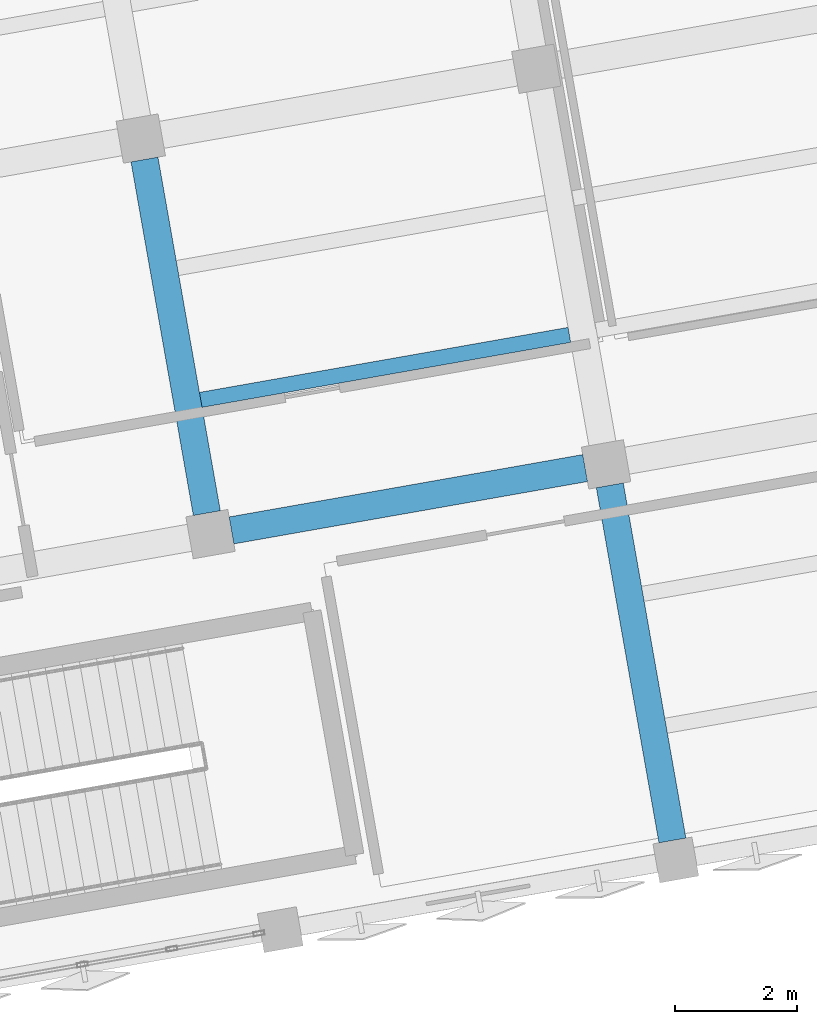
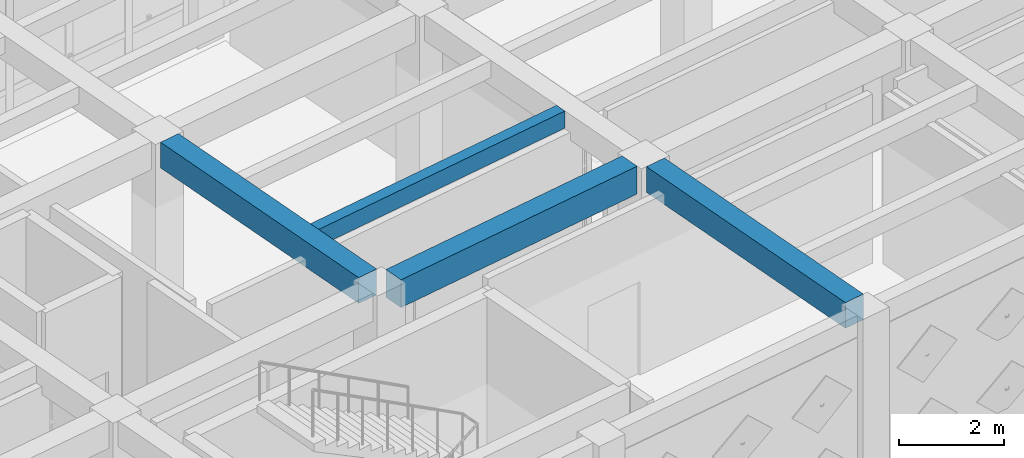
# One storey, part 13 of 48: 4 beams.
"""IFC4 building model written with IfcOpenShell, lengths in metres."""

from ifc_helpers import new_model, si_unit, direction, frame, origin, origin_2d, place, context, subcontext, project, spatial, rectangle, extrude, material, material_profile, profile_set, type_object, element, save


model = new_model("IFC4")

# Units and contexts
model_context = context("Model", 3, precision=1e-05, world=origin(), true_north=direction((0.0, 1.0)))
body_context = subcontext(model_context, "Body", "Model", "MODEL_VIEW")
ifc_project = project(units=[si_unit("LENGTHUNIT", "METRE"), si_unit("AREAUNIT", "SQUARE_METRE"), si_unit("VOLUMEUNIT", "CUBIC_METRE"), si_unit("PLANEANGLEUNIT", "RADIAN"), si_unit("MASSUNIT", "GRAM", prefix="KILO")], contexts=[model_context])

# Site, building, storey
site_placement = place(None, origin())
site = spatial("IfcSite", under=ifc_project, at=site_placement, CompositionType="ELEMENT")
building_placement = place(site_placement, origin())
building = spatial("IfcBuilding", under=site, at=building_placement, Name="Kharisveld Research Institute", CompositionType="ELEMENT")
storey_placement = place(building_placement, frame((0.0, 0.0, 14.10009765625)))
storey = spatial("IfcBuildingStorey", under=building, at=storey_placement, Name="L03", CompositionType="ELEMENT", Elevation=14.10009765625)

# Beams
ifc_material_1 = material(Name="Concrete C40/50", Category="concrete")
ifc_material_profile_1 = material_profile(ifc_material_1, rectangle(XDim=0.449951171875, YDim=0.60009765625, at=origin_2d()))
ifc_profile_set_1 = profile_set([ifc_material_profile_1], Name="Concrete C40/50")
beam_type_1 = type_object("IfcBeamType", Name="BM_RC_450x600", PredefinedType="BEAM", material=ifc_profile_set_1)
beam_1_placement = place(storey_placement, frame((23.492431640625, 45.292724609375, 4.010009765625), z_axis=(-0.173672023659, 0.984803548023, 0.0), x_axis=(-0.984803548023, -0.173672023659, 0.0)))
element("IfcBeam", 1, at=beam_1_placement, inside=storey, type_object=beam_type_1, Name="BM:V1:L03:V3_1", PredefinedType="BEAM", context=body_context, shape_type="SweptSolid", body=[
    extrude(rectangle(XDim=0.449951171875, YDim=0.60009765625, at=origin_2d()), origin(), (0.0, 0.0, 1.0), 5.89990234375),
])
beam_2_placement = place(storey_placement, frame((31.142578125, 39.914306640625, 4.010009765625), z_axis=(-0.173679554678, 0.984802219883, 0.0), x_axis=(-0.984802219883, -0.173679554678, 0.0)))
element("IfcBeam", 2, at=beam_2_placement, inside=storey, type_object=beam_type_1, Name="BM:V1:L03:V4_0", PredefinedType="BEAM", context=body_context, shape_type="SweptSolid", body=[
    extrude(rectangle(XDim=0.449951171875, YDim=0.60009765625, at=origin_2d()), origin(), (0.0, 0.0, 1.0), 5.925048828125),
])
ifc_material_2 = material(Name="Concrete C40/50", Category="concrete")
ifc_material_profile_2 = material_profile(ifc_material_2, rectangle(XDim=0.449951171875, YDim=0.64990234375, at=origin_2d()))
ifc_profile_set_2 = profile_set([ifc_material_profile_2], Name="Concrete C40/50")
beam_type_2 = type_object("IfcBeamType", Name="BM_RC_450x650", PredefinedType="BEAM", material=ifc_profile_set_2)
beam_3_placement = place(storey_placement, frame((23.897705078125, 45.0087890625, 3.98486328125), z_axis=(0.98481187206, 0.173624815763, 0.0), x_axis=(-0.173624815763, 0.98481187206, 0.0)))
element("IfcBeam", 3, at=beam_3_placement, inside=storey, type_object=beam_type_2, Name="BM:V1:L03:U3_1", PredefinedType="BEAM", context=body_context, shape_type="SweptSolid", body=[
    extrude(rectangle(XDim=0.449951171875, YDim=0.64990234375, at=origin_2d()), origin(), (0.0, 0.0, 1.0), 5.900146484375),
])
ifc_material_3 = material(Name="Concrete C40/50", Category="concrete")
ifc_material_profile_3 = material_profile(ifc_material_3, rectangle(XDim=0.25, YDim=0.39990234375, at=origin_2d()))
ifc_profile_set_3 = profile_set([ifc_material_profile_3], Name="Concrete C40/50")
beam_type_3 = type_object("IfcBeamType", Name="WB_RC_250x400", PredefinedType="JOIST", material=ifc_profile_set_3)
beam_4_placement = place(storey_placement, frame((23.392578125, 47.153564453125, 4.10986328125), z_axis=(0.984809923515, 0.173635867682, 0.0), x_axis=(-0.173635867682, 0.984809923515, 0.0)))
element("IfcBeam", 4, at=beam_4_placement, inside=storey, type_object=beam_type_3, Name="BM:V1:L03:J_3_1_R1", PredefinedType="JOIST", context=body_context, shape_type="SweptSolid", body=[
    extrude(rectangle(XDim=0.25, YDim=0.39990234375, at=origin_2d()), origin(), (0.0, 0.0, 1.0), 6.150146484375),
])

save(model, "model.ifc")
